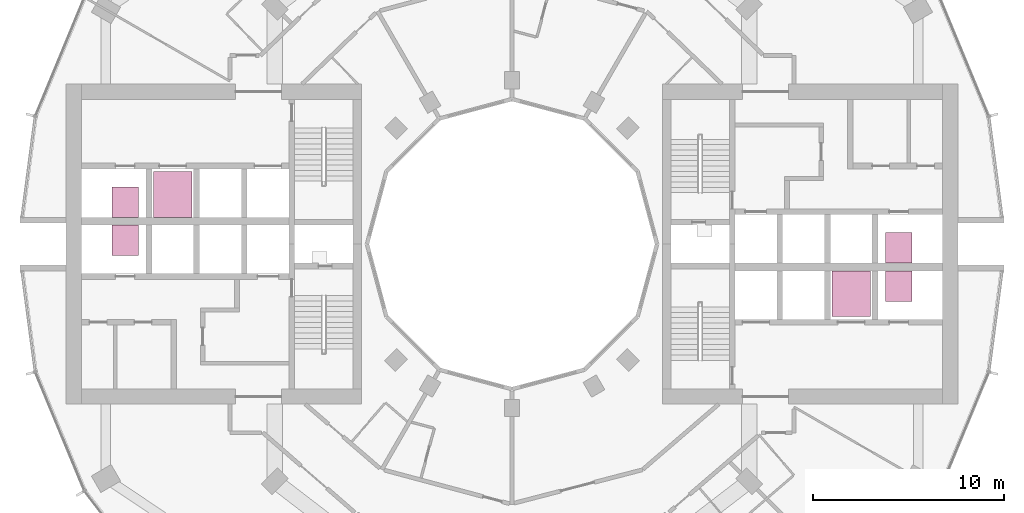
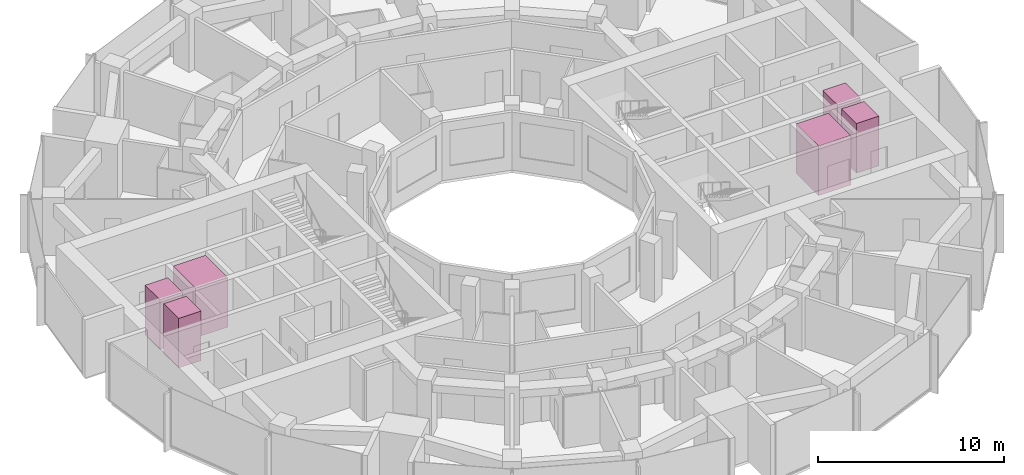
# One storey, part 15 of 15: 6 transport elements.
"""IFC4 building model written with IfcOpenShell, lengths in metres."""

import ifcopenshell
import ifcopenshell.guid

model = None  # the IFC model being written
_history = None  # IfcOwnerHistory: only IFC2X3 demands one
_inside = {}  # id of a spatial element -> (the spatial element, [elements in it])
_under = {}  # id of a project, library or spatial element -> (it, [spatial elements below it])
_declared = {}  # id of a project -> (the project, [libraries it declares])
_typed = {}  # id of a type object -> (the type object, [elements of that type])
_made_of = {}  # id of a material, layer set ... -> (it, [elements and type objects made of it])


def new_model(schema):
    """Start an empty IFC model of exactly this schema.

    Asked for "IFC4X3", IfcOpenShell would pick the latest addendum, in which some entities
    have other attributes; the version numbers below select the first issue.
    IFC2X3 requires an IfcOwnerHistory on every rooted entity: one is made here for all.
    """
    global model, _history
    if schema == "IFC4X3":
        model = ifcopenshell.file(schema_version=(4, 3, 0, 0))
    else:
        model = ifcopenshell.file(schema=schema)
    _inside.clear()
    _under.clear()
    _declared.clear()
    _typed.clear()
    _made_of.clear()
    _history = None
    if model.schema == "IFC2X3":
        org = make("IfcOrganization", Name="unknown")
        user = make(
            "IfcPersonAndOrganization",
            ThePerson=make("IfcPerson", FamilyName="unknown"),
            TheOrganization=org,
        )
        app = make(
            "IfcApplication",
            ApplicationDeveloper=org,
            Version="unknown",
            ApplicationFullName="unknown",
            ApplicationIdentifier="unknown",
        )
        _history = make(
            "IfcOwnerHistory",
            OwningUser=user,
            OwningApplication=app,
            ChangeAction="ADDED",
            CreationDate=0,
        )
    return model


def make(cls, **values):
    """One entity of the class cls with the attributes given. An attribute that is None is left unset."""
    return model.create_entity(
        cls, **{name: value for name, value in values.items() if value is not None}
    )


def rooted(cls, **values):
    """An entity with a GlobalId (a new one), such as an element, a storey or a relation."""
    return make(cls, GlobalId=ifcopenshell.guid.new(), OwnerHistory=_history, **values)


def si_unit(unit_type, name, prefix=None):
    """IfcSIUnit, for example si_unit("LENGTHUNIT", "METRE", prefix="MILLI")."""
    return make("IfcSIUnit", UnitType=unit_type, Prefix=prefix, Name=name)


def assignment(units):
    """IfcUnitAssignment: the units of a project."""
    return None if units is None else make("IfcUnitAssignment", Units=units)


def point(xyz):
    """IfcCartesianPoint."""
    return None if xyz is None else make("IfcCartesianPoint", Coordinates=xyz)


def direction(xyz):
    """IfcDirection."""
    return None if xyz is None else make("IfcDirection", DirectionRatios=xyz)


def frame(location, z_axis=None, x_axis=None):
    """IfcAxis2Placement3D, a coordinate frame: its origin and axes. An axis left out is left unset."""
    return make(
        "IfcAxis2Placement3D",
        Location=point(location),
        Axis=direction(z_axis),
        RefDirection=direction(x_axis),
    )


def frame_2d(location, x_axis=None):
    """IfcAxis2Placement2D, a coordinate frame in the plane: its origin and x axis."""
    return make(
        "IfcAxis2Placement2D", Location=point(location), RefDirection=direction(x_axis)
    )


def origin():
    """The frame at (0, 0, 0) with its axes left unset."""
    return frame((0.0, 0.0, 0.0))


def origin_2d():
    """The frame at (0, 0) in the plane with its x axis left unset."""
    return frame_2d((0.0, 0.0))


def place(relative_to, where):
    """IfcLocalPlacement: puts the frame where relative to a parent placement (None: the world)."""
    return make(
        "IfcLocalPlacement", PlacementRelTo=relative_to, RelativePlacement=where
    )


def context(
    kind, dimensions, precision=None, world=None, true_north=None, identifier=None
):
    """IfcGeometricRepresentationContext, for example the 3D "Model" context."""
    return make(
        "IfcGeometricRepresentationContext",
        ContextIdentifier=identifier,
        ContextType=kind,
        CoordinateSpaceDimension=dimensions,
        Precision=precision,
        WorldCoordinateSystem=world,
        TrueNorth=true_north,
    )


def subcontext(parent, identifier, kind, view, scale=None):
    """IfcGeometricRepresentationSubContext, for example "Body" below "Model"."""
    return make(
        "IfcGeometricRepresentationSubContext",
        ContextIdentifier=identifier,
        ContextType=kind,
        ParentContext=parent,
        TargetScale=scale,
        TargetView=view,
    )


def project(units=None, contexts=None):
    """IfcProject with its units and contexts."""
    return rooted(
        "IfcProject",
        Name="project",
        RepresentationContexts=contexts,
        UnitsInContext=assignment(units),
    )


def spatial(cls, under=None, at=None, **own):
    """A site, building, storey or space (cls), placed at a placement, below another one or the project."""
    s = rooted(cls, ObjectPlacement=at, **own)
    if under is not None:
        _under.setdefault(under.id(), (under, []))[1].append(s)
    return s


def profile(cls, at=None, kind="AREA", **sizes):
    """A parametric profile (cls). Its sizes go by their IFC names, for example OverallWidth=200.0."""
    return make(cls, ProfileType=kind, Position=at, **sizes)


def rectangle(**sizes):
    """IfcRectangleProfileDef."""
    return profile("IfcRectangleProfileDef", **sizes)


def extrude(swept, where, along, depth):
    """IfcExtrudedAreaSolid: the profile swept, set in the frame where, extruded along a direction by depth."""
    return make(
        "IfcExtrudedAreaSolid",
        SweptArea=swept,
        Position=where,
        ExtrudedDirection=direction(along),
        Depth=depth,
    )


def shape(context_of_items, identifier, shape_type, items):
    """IfcShapeRepresentation: the items that make up one representation, for example the "Body"."""
    return make(
        "IfcShapeRepresentation",
        ContextOfItems=context_of_items,
        RepresentationIdentifier=identifier,
        RepresentationType=shape_type,
        Items=items,
    )


def material(Name=None, Category=None):
    """IfcMaterial."""
    return make("IfcMaterial", Name=Name, Category=Category)


def made_of(thing, what):
    """Note that an element or type object is made of a material, layer set ...; save() writes the relation."""
    if what is not None:
        _made_of.setdefault(what.id(), (what, []))[1].append(thing)
    return thing


def type_object(cls, material=None, **own):
    """A type object (cls), such as IfcWallType, which elements share."""
    return made_of(rooted(cls, **own), material)


def element(
    cls,
    number,
    at=None,
    inside=None,
    cuts=None,
    type_object=None,
    material=None,
    context=None,
    identifier="Body",
    shape_type=None,
    held_by="IfcProductDefinitionShape",
    body=None,
    shapes=None,
    **own,
):
    """One element of the class cls, such as IfcWall. Its Tag is "e" and its number.

    at: its placement. inside: the storey or other place that contains it. cuts: it is an
    opening in that element (IfcRelVoidsElement). A single representation is given by context,
    identifier, shape_type and body (its items); several are given by shapes. held_by: the class
    of the entity that holds the representations. save() writes the other relations.
    """
    e = rooted(cls, Tag="e%d" % number, ObjectPlacement=at, **own)
    if body is not None:
        shapes = [shape(context, identifier, shape_type, body)]
    if shapes is not None:
        e.Representation = make(held_by, Representations=shapes)
    if inside is not None:
        _inside.setdefault(inside.id(), (inside, []))[1].append(e)
    if cuts is not None:
        rooted(
            "IfcRelVoidsElement", RelatingBuildingElement=cuts, RelatedOpeningElement=e
        )
    if type_object is not None:
        _typed.setdefault(type_object.id(), (type_object, []))[1].append(e)
    return made_of(e, material)


def aggregate(whole, parts):
    """IfcRelAggregates: a whole, such as a stair, and the parts it consists of."""
    return rooted("IfcRelAggregates", RelatingObject=whole, RelatedObjects=parts)


def save(model, path):
    """Write the relations noted so far, then the file.

    IfcRelAggregates (storeys below a building ...), IfcRelContainedInSpatialStructure (elements
    in a storey), IfcRelDefinesByType, IfcRelAssociatesMaterial and IfcRelDeclares: one each for
    every whole, place, type object, material and project.
    """
    for whole, parts in _under.values():
        aggregate(whole, parts)
    for where, things in _inside.values():
        rooted(
            "IfcRelContainedInSpatialStructure",
            RelatedElements=things,
            RelatingStructure=where,
        )
    for kind, things in _typed.values():
        rooted("IfcRelDefinesByType", RelatedObjects=things, RelatingType=kind)
    for what, things in _made_of.values():
        rooted("IfcRelAssociatesMaterial", RelatedObjects=things, RelatingMaterial=what)
    for by, libraries in _declared.values():
        rooted("IfcRelDeclares", RelatingContext=by, RelatedDefinitions=libraries)
    model.write(path)


model = new_model("IFC4")

# Units and contexts
model_context = context("Model", 3, precision=1e-05, world=origin(), true_north=direction((0.0, 1.0)))
body_context = subcontext(model_context, "Body", "Model", "MODEL_VIEW")
ifc_project = project(units=[si_unit("LENGTHUNIT", "METRE"), si_unit("AREAUNIT", "SQUARE_METRE"), si_unit("VOLUMEUNIT", "CUBIC_METRE"), si_unit("PLANEANGLEUNIT", "RADIAN"), si_unit("MASSUNIT", "GRAM", prefix="KILO")], contexts=[model_context])

# Site, building, storey
site_placement = place(None, origin())
site = spatial("IfcSite", under=ifc_project, at=site_placement, CompositionType="ELEMENT")
building_placement = place(site_placement, origin())
building = spatial("IfcBuilding", under=site, at=building_placement, Name="Torre Brocal", CompositionType="ELEMENT")
storey_placement = place(building_placement, frame((0.0, 0.0, 70.60009765625)))
storey = spatial("IfcBuildingStorey", under=building, at=storey_placement, Name="L16", CompositionType="ELEMENT", Elevation=70.60009765625)

# Transport elements
ifc_material_1 = material(Name="Stainless steel AISI 316", Category="steel")
transport_element_type_1 = type_object("IfcTransportElementType", Name="PASSENGER LIFT 2000", PredefinedType="ELEVATOR", material=ifc_material_1)
for number, where, z_axis, x_axis, name in (
    (1, (97.800048828125, 72.39990234375, 0.0), (0.0, 0.0, 1.0), (1.0, 0.0, 0.0), "LOW RISE LIFT E-LR2"),
    (2, (62.199951171875, 77.60009765625, 0.0), (0.0, 0.0, 1.0), (1.0, 0.0, 0.0), "LOW RISE LIFT W-LR2"),
):
    element("IfcTransportElement", number, at=place(storey_placement, frame(where, z_axis=z_axis, x_axis=x_axis)), inside=storey, type_object=transport_element_type_1, Name=name, PredefinedType="ELEVATOR", context=body_context, shape_type="SweptSolid", body=[
        extrude(rectangle(XDim=2.0, YDim=2.39990234375, at=origin_2d()), origin(), (0.0, 0.0, 1.0), 3.25),
    ])
ifc_material_2 = material(Name="Stainless steel AISI 316", Category="steel")
transport_element_type_2 = type_object("IfcTransportElementType", Name="PASSENGER LIFT 900", PredefinedType="ELEVATOR", material=ifc_material_2)
for number, where, z_axis, x_axis, name in (
    (3, (100.300048828125, 74.800048828125, 0.0), (0.0, 0.0, 1.0), (1.0, 0.0, 0.0), "LOW RISE LIFT E-LR1"),
    (4, (100.300048828125, 72.800048828125, 0.0), (0.0, 0.0, 1.0), (1.0, 0.0, 0.0), "LOW RISE LIFT E-LR3"),
    (5, (59.699951171875, 75.199951171875, 0.0), (0.0, 0.0, 1.0), (1.0, 0.0, 0.0), "LOW RISE LIFT W-LR1"),
    (6, (59.699951171875, 77.199951171875, 0.0), (0.0, 0.0, 1.0), (1.0, 0.0, 0.0), "LOW RISE LIFT W-LR3"),
):
    element("IfcTransportElement", number, at=place(storey_placement, frame(where, z_axis=z_axis, x_axis=x_axis)), inside=storey, type_object=transport_element_type_2, Name=name, PredefinedType="ELEVATOR", context=body_context, shape_type="SweptSolid", body=[
        extrude(rectangle(XDim=1.39990234375, YDim=1.60009765625, at=origin_2d()), origin(), (0.0, 0.0, 1.0), 3.25),
    ])

save(model, "model.ifc")
